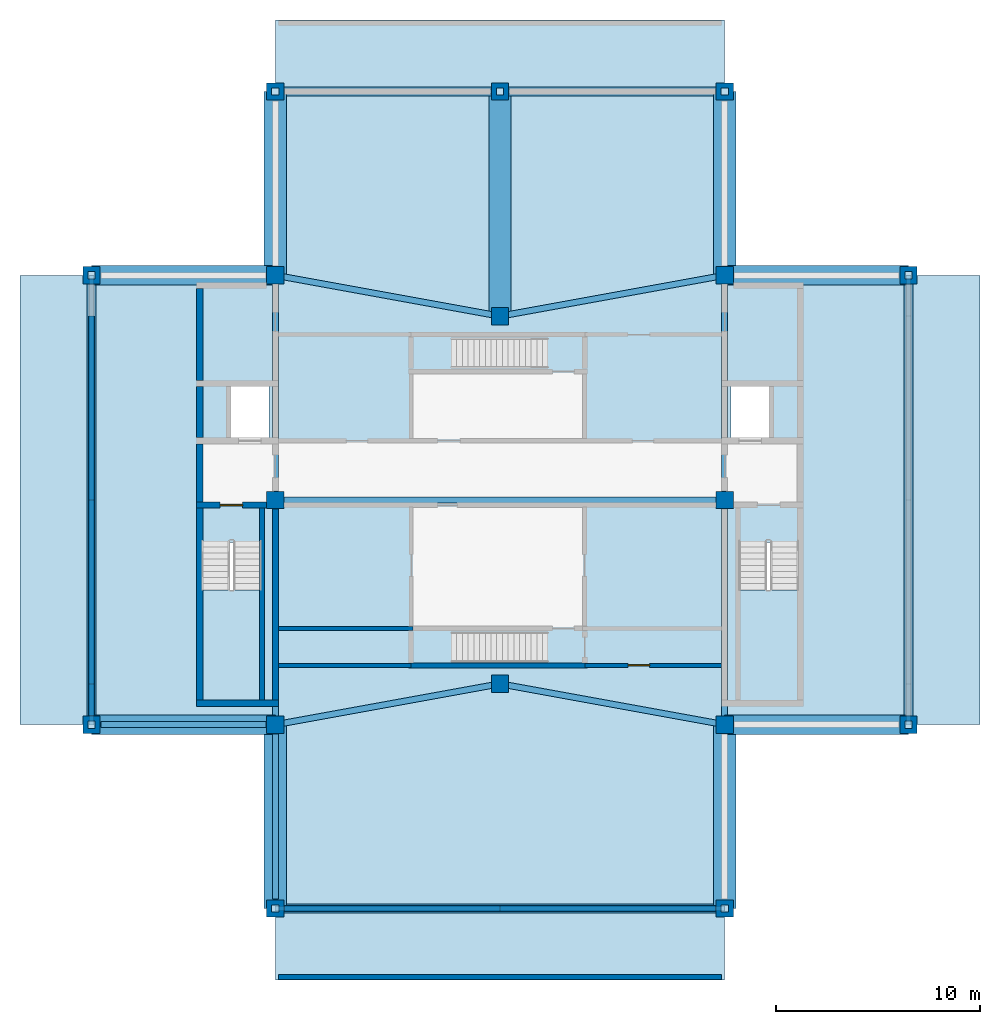
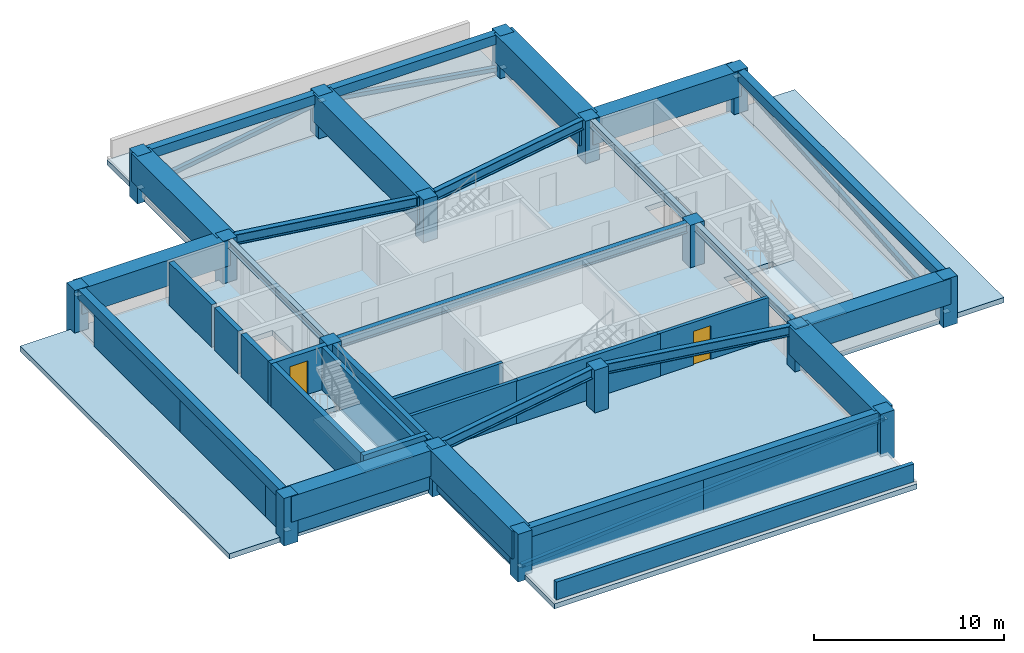
# One storey, part 1 of 4: 20 beams, 20 walls, 17 columns, 9 plates, 7 slabs, 5 members, 2 doors, 2 openings, 2 elements without a shape of their own.
"""IFC4 building model written with IfcOpenShell, lengths in metres."""

import ifcopenshell
import ifcopenshell.guid

model = None  # the IFC model being written
_history = None  # IfcOwnerHistory: only IFC2X3 demands one
_inside = {}  # id of a spatial element -> (the spatial element, [elements in it])
_under = {}  # id of a project, library or spatial element -> (it, [spatial elements below it])
_declared = {}  # id of a project -> (the project, [libraries it declares])
_typed = {}  # id of a type object -> (the type object, [elements of that type])
_made_of = {}  # id of a material, layer set ... -> (it, [elements and type objects made of it])


def new_model(schema):
    """Start an empty IFC model of exactly this schema.

    Asked for "IFC4X3", IfcOpenShell would pick the latest addendum, in which some entities
    have other attributes; the version numbers below select the first issue.
    IFC2X3 requires an IfcOwnerHistory on every rooted entity: one is made here for all.
    """
    global model, _history
    if schema == "IFC4X3":
        model = ifcopenshell.file(schema_version=(4, 3, 0, 0))
    else:
        model = ifcopenshell.file(schema=schema)
    _inside.clear()
    _under.clear()
    _declared.clear()
    _typed.clear()
    _made_of.clear()
    _history = None
    if model.schema == "IFC2X3":
        org = make("IfcOrganization", Name="unknown")
        user = make(
            "IfcPersonAndOrganization",
            ThePerson=make("IfcPerson", FamilyName="unknown"),
            TheOrganization=org,
        )
        app = make(
            "IfcApplication",
            ApplicationDeveloper=org,
            Version="unknown",
            ApplicationFullName="unknown",
            ApplicationIdentifier="unknown",
        )
        _history = make(
            "IfcOwnerHistory",
            OwningUser=user,
            OwningApplication=app,
            ChangeAction="ADDED",
            CreationDate=0,
        )
    return model


def make(cls, **values):
    """One entity of the class cls with the attributes given. An attribute that is None is left unset."""
    return model.create_entity(
        cls, **{name: value for name, value in values.items() if value is not None}
    )


def rooted(cls, **values):
    """An entity with a GlobalId (a new one), such as an element, a storey or a relation."""
    return make(cls, GlobalId=ifcopenshell.guid.new(), OwnerHistory=_history, **values)


def si_unit(unit_type, name, prefix=None):
    """IfcSIUnit, for example si_unit("LENGTHUNIT", "METRE", prefix="MILLI")."""
    return make("IfcSIUnit", UnitType=unit_type, Prefix=prefix, Name=name)


def assignment(units):
    """IfcUnitAssignment: the units of a project."""
    return None if units is None else make("IfcUnitAssignment", Units=units)


def point(xyz):
    """IfcCartesianPoint."""
    return None if xyz is None else make("IfcCartesianPoint", Coordinates=xyz)


def direction(xyz):
    """IfcDirection."""
    return None if xyz is None else make("IfcDirection", DirectionRatios=xyz)


def frame(location, z_axis=None, x_axis=None):
    """IfcAxis2Placement3D, a coordinate frame: its origin and axes. An axis left out is left unset."""
    return make(
        "IfcAxis2Placement3D",
        Location=point(location),
        Axis=direction(z_axis),
        RefDirection=direction(x_axis),
    )


def frame_2d(location, x_axis=None):
    """IfcAxis2Placement2D, a coordinate frame in the plane: its origin and x axis."""
    return make(
        "IfcAxis2Placement2D", Location=point(location), RefDirection=direction(x_axis)
    )


def origin():
    """The frame at (0, 0, 0) with its axes left unset."""
    return frame((0.0, 0.0, 0.0))


def origin_2d():
    """The frame at (0, 0) in the plane with its x axis left unset."""
    return frame_2d((0.0, 0.0))


def place(relative_to, where):
    """IfcLocalPlacement: puts the frame where relative to a parent placement (None: the world)."""
    return make(
        "IfcLocalPlacement", PlacementRelTo=relative_to, RelativePlacement=where
    )


def context(
    kind, dimensions, precision=None, world=None, true_north=None, identifier=None
):
    """IfcGeometricRepresentationContext, for example the 3D "Model" context."""
    return make(
        "IfcGeometricRepresentationContext",
        ContextIdentifier=identifier,
        ContextType=kind,
        CoordinateSpaceDimension=dimensions,
        Precision=precision,
        WorldCoordinateSystem=world,
        TrueNorth=true_north,
    )


def subcontext(parent, identifier, kind, view, scale=None):
    """IfcGeometricRepresentationSubContext, for example "Body" below "Model"."""
    return make(
        "IfcGeometricRepresentationSubContext",
        ContextIdentifier=identifier,
        ContextType=kind,
        ParentContext=parent,
        TargetScale=scale,
        TargetView=view,
    )


def project(units=None, contexts=None):
    """IfcProject with its units and contexts."""
    return rooted(
        "IfcProject",
        Name="project",
        RepresentationContexts=contexts,
        UnitsInContext=assignment(units),
    )


def spatial(cls, under=None, at=None, **own):
    """A site, building, storey or space (cls), placed at a placement, below another one or the project."""
    s = rooted(cls, ObjectPlacement=at, **own)
    if under is not None:
        _under.setdefault(under.id(), (under, []))[1].append(s)
    return s


def polyline(points):
    """IfcPolyline through the points."""
    return make("IfcPolyline", Points=[point(p) for p in points])


def profile(cls, at=None, kind="AREA", **sizes):
    """A parametric profile (cls). Its sizes go by their IFC names, for example OverallWidth=200.0."""
    return make(cls, ProfileType=kind, Position=at, **sizes)


def rectangle(**sizes):
    """IfcRectangleProfileDef."""
    return profile("IfcRectangleProfileDef", **sizes)


def hollow_rectangle(**sizes):
    """IfcRectangleHollowProfileDef."""
    return profile("IfcRectangleHollowProfileDef", **sizes)


def i_section(**sizes):
    """IfcIShapeProfileDef."""
    return profile("IfcIShapeProfileDef", **sizes)


def outline(outer, holes=None, kind="AREA"):
    """IfcArbitraryClosedProfileDef: a profile drawn as a closed curve; with holes, ...WithVoids."""
    if holes is None:
        return make("IfcArbitraryClosedProfileDef", ProfileType=kind, OuterCurve=outer)
    return make(
        "IfcArbitraryProfileDefWithVoids",
        ProfileType=kind,
        OuterCurve=outer,
        InnerCurves=holes,
    )


def extrude(swept, where, along, depth):
    """IfcExtrudedAreaSolid: the profile swept, set in the frame where, extruded along a direction by depth."""
    return make(
        "IfcExtrudedAreaSolid",
        SweptArea=swept,
        Position=where,
        ExtrudedDirection=direction(along),
        Depth=depth,
    )


def shape(context_of_items, identifier, shape_type, items):
    """IfcShapeRepresentation: the items that make up one representation, for example the "Body"."""
    return make(
        "IfcShapeRepresentation",
        ContextOfItems=context_of_items,
        RepresentationIdentifier=identifier,
        RepresentationType=shape_type,
        Items=items,
    )


def material(Name=None, Category=None):
    """IfcMaterial."""
    return make("IfcMaterial", Name=Name, Category=Category)


def layer(
    of_material, thickness, ventilated=None, Name=None, Category=None, Priority=None
):
    """IfcMaterialLayer: one layer of a wall or slab, of a material (None: an air gap)."""
    return make(
        "IfcMaterialLayer",
        Material=of_material,
        LayerThickness=thickness,
        IsVentilated=ventilated,
        Name=Name,
        Category=Category,
        Priority=Priority,
    )


def layer_set(layers, Name=None):
    """IfcMaterialLayerSet."""
    return make("IfcMaterialLayerSet", MaterialLayers=layers, LayerSetName=Name)


def material_profile(
    of_material, cross_section, Name=None, Category=None, Priority=None
):
    """IfcMaterialProfile: a cross section and its material."""
    return make(
        "IfcMaterialProfile",
        Name=Name,
        Material=of_material,
        Profile=cross_section,
        Priority=Priority,
        Category=Category,
    )


def profile_set(profiles, Name=None, composite=None):
    """IfcMaterialProfileSet."""
    return make(
        "IfcMaterialProfileSet",
        Name=Name,
        MaterialProfiles=profiles,
        CompositeProfile=composite,
    )


def made_of(thing, what):
    """Note that an element or type object is made of a material, layer set ...; save() writes the relation."""
    if what is not None:
        _made_of.setdefault(what.id(), (what, []))[1].append(thing)
    return thing


def type_object(cls, material=None, **own):
    """A type object (cls), such as IfcWallType, which elements share."""
    return made_of(rooted(cls, **own), material)


def element(
    cls,
    number,
    at=None,
    inside=None,
    cuts=None,
    type_object=None,
    material=None,
    context=None,
    identifier="Body",
    shape_type=None,
    held_by="IfcProductDefinitionShape",
    body=None,
    shapes=None,
    **own,
):
    """One element of the class cls, such as IfcWall. Its Tag is "e" and its number.

    at: its placement. inside: the storey or other place that contains it. cuts: it is an
    opening in that element (IfcRelVoidsElement). A single representation is given by context,
    identifier, shape_type and body (its items); several are given by shapes. held_by: the class
    of the entity that holds the representations. save() writes the other relations.
    """
    e = rooted(cls, Tag="e%d" % number, ObjectPlacement=at, **own)
    if body is not None:
        shapes = [shape(context, identifier, shape_type, body)]
    if shapes is not None:
        e.Representation = make(held_by, Representations=shapes)
    if inside is not None:
        _inside.setdefault(inside.id(), (inside, []))[1].append(e)
    if cuts is not None:
        rooted(
            "IfcRelVoidsElement", RelatingBuildingElement=cuts, RelatedOpeningElement=e
        )
    if type_object is not None:
        _typed.setdefault(type_object.id(), (type_object, []))[1].append(e)
    return made_of(e, material)


def fill(opening, filler):
    """IfcRelFillsElement: the door or window that sits in an opening."""
    return rooted(
        "IfcRelFillsElement",
        RelatingOpeningElement=opening,
        RelatedBuildingElement=filler,
    )


def aggregate(whole, parts):
    """IfcRelAggregates: a whole, such as a stair, and the parts it consists of."""
    return rooted("IfcRelAggregates", RelatingObject=whole, RelatedObjects=parts)


def save(model, path):
    """Write the relations noted so far, then the file.

    IfcRelAggregates (storeys below a building ...), IfcRelContainedInSpatialStructure (elements
    in a storey), IfcRelDefinesByType, IfcRelAssociatesMaterial and IfcRelDeclares: one each for
    every whole, place, type object, material and project.
    """
    for whole, parts in _under.values():
        aggregate(whole, parts)
    for where, things in _inside.values():
        rooted(
            "IfcRelContainedInSpatialStructure",
            RelatedElements=things,
            RelatingStructure=where,
        )
    for kind, things in _typed.values():
        rooted("IfcRelDefinesByType", RelatedObjects=things, RelatingType=kind)
    for what, things in _made_of.values():
        rooted("IfcRelAssociatesMaterial", RelatedObjects=things, RelatingMaterial=what)
    for by, libraries in _declared.values():
        rooted("IfcRelDeclares", RelatingContext=by, RelatedDefinitions=libraries)
    model.write(path)


model = new_model("IFC4")

# Units and contexts
model_context = context("Model", 3, precision=1e-05, world=origin(), true_north=direction((0.0, 1.0)))
body_context = subcontext(model_context, "Body", "Model", "MODEL_VIEW")
ifc_project = project(units=[si_unit("LENGTHUNIT", "METRE"), si_unit("AREAUNIT", "SQUARE_METRE"), si_unit("VOLUMEUNIT", "CUBIC_METRE"), si_unit("PLANEANGLEUNIT", "RADIAN"), si_unit("MASSUNIT", "GRAM", prefix="KILO")], contexts=[model_context])

# Site, building, storey
site_placement = place(None, origin())
site = spatial("IfcSite", under=ifc_project, at=site_placement, CompositionType="ELEMENT")
building_placement = place(site_placement, origin())
building = spatial("IfcBuilding", under=site, at=building_placement, Name="Zulmaris Gate Convention Tower", CompositionType="ELEMENT")
storey_placement = place(building_placement, frame((0.0, 0.0, 281.800048828125)))
storey = spatial("IfcBuildingStorey", under=building, at=storey_placement, Name="L75", CompositionType="ELEMENT", Elevation=281.800048828125)

# Columns
ifc_material_1 = material(Name="Concrete C60/75", Category="concrete")
ifc_material_profile_1 = material_profile(ifc_material_1, rectangle(XDim=0.85009765625, YDim=0.85009765625, at=origin_2d()), Name="RC COL 850x850")
ifc_profile_set_1 = profile_set([ifc_material_profile_1], Name="Concrete C60/75")
column_type = type_object("IfcColumnType", Name="COL-RC850", PredefinedType="COLUMN", material=ifc_profile_set_1)
for number, where, z_axis, x_axis, name in (
    (1, (-11.0, -20.0, -0.324951171875), (0.0, 0.0, 1.0), (1.0, 0.0, 0.0), "L75 Column CR--11.00_-20.00"),
    (2, (11.0, -20.0, -0.324951171875), (0.0, 0.0, 1.0), (1.0, 0.0, 0.0), "L75 Column CR-+11.00_-20.00"),
    (3, (20.0, -11.0, -0.324951171875), (0.0, 0.0, 1.0), (1.0, 0.0, 0.0), "L75 Column CR-+20.00_-11.00"),
    (4, (20.0, 11.0, -0.324951171875), (0.0, 0.0, 1.0), (1.0, 0.0, 0.0), "L75 Column CR-+20.00_+11.00"),
    (5, (11.0, 20.0, -0.324951171875), (0.0, 0.0, 1.0), (1.0, 0.0, 0.0), "L75 Column CR-+11.00_+20.00"),
    (6, (0.0, 20.0, -0.324951171875), (0.0, 0.0, 1.0), (1.0, 0.0, 0.0), "L75 Column CR-+0.00_+20.00"),
    (7, (-11.0, 20.0, -0.324951171875), (0.0, 0.0, 1.0), (1.0, 0.0, 0.0), "L75 Column CR--11.00_+20.00"),
    (8, (-20.0, 11.0, -0.324951171875), (0.0, 0.0, 1.0), (1.0, 0.0, 0.0), "L75 Column CR--20.00_+11.00"),
    (9, (-20.0, -11.0, -0.324951171875), (0.0, 0.0, 1.0), (1.0, 0.0, 0.0), "L75 Column CR--20.00_-11.00"),
    (10, (-11.0, -11.0, -0.324951171875), (0.0, 0.0, 1.0), (1.0, 0.0, 0.0), "L75 Column CR--11.00_-11.00"),
    (11, (11.0, -11.0, -0.324951171875), (0.0, 0.0, 1.0), (1.0, 0.0, 0.0), "L75 Column CR-+11.00_-11.00"),
    (12, (-11.0, 11.0, -0.324951171875), (0.0, 0.0, 1.0), (1.0, 0.0, 0.0), "L75 Column CR--11.00_+11.00"),
    (13, (11.0, 11.0, -0.324951171875), (0.0, 0.0, 1.0), (1.0, 0.0, 0.0), "L75 Column CR-+11.00_+11.00"),
    (14, (-11.0, 0.0, -0.324951171875), (0.0, 0.0, 1.0), (1.0, 0.0, 0.0), "L75 Column CR--11.00_+0.00"),
    (15, (11.0, 0.0, -0.324951171875), (0.0, 0.0, 1.0), (1.0, 0.0, 0.0), "L75 Column CR-+11.00_+0.00"),
    (16, (0.0, -9.0, -0.324951171875), (0.0, 0.0, 1.0), (1.0, 0.0, 0.0), "L75 Column CR-+0.00_-9.00"),
    (17, (0.0, 9.0, -0.324951171875), (0.0, 0.0, 1.0), (1.0, 0.0, 0.0), "L75 Column CR-+0.00_+9.00"),
):
    element("IfcColumn", number, at=place(storey_placement, frame(where, z_axis=z_axis, x_axis=x_axis)), inside=storey, type_object=column_type, Name=name, PredefinedType="COLUMN", context=body_context, shape_type="SweptSolid", body=[
        extrude(rectangle(XDim=0.85009765625, YDim=0.85009765625, at=origin_2d()), origin(), (0.0, 0.0, 1.0), 3.059814453125),
    ])

# Beams
ifc_material_2 = material(Name="Steel S355", Category="steel")
ifc_material_profile_2 = material_profile(ifc_material_2, i_section(OverallWidth=0.300048828125, OverallDepth=0.5, WebThickness=0.014404296875, FlangeThickness=0.028076171875, FilletRadius=0.027099609375, at=origin_2d()), Name="HEB 500")
ifc_profile_set_2 = profile_set([ifc_material_profile_2], Name="Steel S355")
beam_type_1 = type_object("IfcBeamType", Name="BM-HEB500", PredefinedType="BEAM", material=ifc_profile_set_2)
for number, where, z_axis, x_axis, name in (
    (18, (-11.0, -11.0, 2.48291015625), (0.0, 1.0, 0.0), (-1.0, 0.0, 0.0), "L75 Beam BM-L75-CY--11.0-M"),
    (19, (11.0, -11.0, 2.48291015625), (0.0, 1.0, 0.0), (-1.0, 0.0, 0.0), "L75 Beam BM-L75-CY-+11.0-M"),
):
    element("IfcBeam", number, at=place(storey_placement, frame(where, z_axis=z_axis, x_axis=x_axis)), inside=storey, type_object=beam_type_1, Name=name, PredefinedType="BEAM", context=body_context, shape_type="SweptSolid", body=[
        extrude(i_section(OverallWidth=0.300048828125, OverallDepth=0.5, WebThickness=0.014404296875, FlangeThickness=0.028076171875, FilletRadius=0.027099609375, at=origin_2d()), origin(), (0.0, 0.0, 1.0), 22.0),
    ])
ifc_material_profile_3 = material_profile(ifc_material_2, i_section(OverallWidth=0.300048828125, OverallDepth=0.64990234375, WebThickness=0.01611328125, FlangeThickness=0.031005859375, FilletRadius=0.027099609375, at=origin_2d()), Name="HEB 650")
ifc_profile_set_3 = profile_set([ifc_material_profile_3], Name="Steel S355")
beam_type_2 = type_object("IfcBeamType", Name="BM-HEB650", PredefinedType="BEAM", material=ifc_profile_set_3)
for number, where, z_axis, x_axis, name in (
    (20, (-11.0, -11.0, 2.407958984375), (0.9838699101, 0.1788854382, 0.0), (-0.1788854382, 0.9838699101, 0.0), "L75 Beam BM-L75-CX--9.9-M1"),
    (21, (0.0, -9.0, 2.407958984375), (0.9838699101, -0.1788854382, 0.0), (0.1788854382, 0.9838699101, 0.0), "L75 Beam BM-L75-CX--9.9-M2"),
    (22, (-11.0, 11.0, 2.407958984375), (0.9838699101, -0.1788854382, 0.0), (0.1788854382, 0.9838699101, 0.0), "L75 Beam BM-L75-CX-+10.5-M1"),
    (23, (0.0, 9.0, 2.407958984375), (0.9838699101, 0.1788854382, 0.0), (-0.1788854382, 0.9838699101, 0.0), "L75 Beam BM-L75-CX-+10.5-M2"),
):
    element("IfcBeam", number, at=place(storey_placement, frame(where, z_axis=z_axis, x_axis=x_axis)), inside=storey, type_object=beam_type_2, Name=name, PredefinedType="BEAM", context=body_context, shape_type="SweptSolid", body=[
        extrude(i_section(OverallWidth=0.300048828125, OverallDepth=0.64990234375, WebThickness=0.01611328125, FlangeThickness=0.031005859375, FilletRadius=0.027099609375, at=origin_2d()), origin(), (0.0, 0.0, 1.0), 11.180419921875),
    ])
beam_1_placement = place(storey_placement, frame((-11.0, 0.0, 2.407958984375), z_axis=(1.0, 0.0, 0.0), x_axis=(0.0, 1.0, 0.0)))
element("IfcBeam", 24, at=beam_1_placement, inside=storey, type_object=beam_type_2, Name="L75 Beam BM-L75-CX-MID", PredefinedType="BEAM", context=body_context, shape_type="SweptSolid", body=[
    extrude(i_section(OverallWidth=0.300048828125, OverallDepth=0.64990234375, WebThickness=0.01611328125, FlangeThickness=0.031005859375, FilletRadius=0.027099609375, at=origin_2d()), origin(), (0.0, 0.0, 1.0), 22.0),
])
ifc_material_3 = material(Name="Precast concrete C50/60", Category="concrete")
ifc_material_profile_4 = material_profile(ifc_material_3, rectangle(XDim=0.449951171875, YDim=0.60009765625, at=origin_2d()), Name="RC SPANDREL 450x600")
ifc_profile_set_4 = profile_set([ifc_material_profile_4], Name="Precast concrete C50/60")
beam_type_3 = type_object("IfcBeamType", Name="BM-SP450x600", PredefinedType="SPANDREL", material=ifc_profile_set_4)
for number, where, z_axis, x_axis, name in (
    (25, (-11.0, -20.0, 2.434814453125), (1.0, 0.0, 0.0), (0.0, 1.0, 0.0), "L75 Spandrel SP-L75-01"),
    (26, (20.0, -11.0, 2.434814453125), (0.0, 1.0, 0.0), (-1.0, 0.0, 0.0), "L75 Spandrel SP-L75-04"),
    (27, (11.0, 20.0, 2.434814453125), (-1.0, 0.0, 0.0), (0.0, -1.0, 0.0), "L75 Spandrel SP-L75-07"),
    (28, (-20.0, 11.0, 2.434814453125), (0.0, -1.0, 0.0), (1.0, 0.0, 0.0), "L75 Spandrel SP-L75-10"),
):
    element("IfcBeam", number, at=place(storey_placement, frame(where, z_axis=z_axis, x_axis=x_axis)), inside=storey, type_object=beam_type_3, Name=name, PredefinedType="SPANDREL", context=body_context, shape_type="SweptSolid", body=[
        extrude(rectangle(XDim=0.449951171875, YDim=0.60009765625, at=origin_2d()), origin(), (0.0, 0.0, 1.0), 22.0),
    ])
ifc_material_4 = material(Name="Concrete C80/95", Category="concrete")
ifc_material_profile_5 = material_profile(ifc_material_4, rectangle(XDim=0.949951171875, YDim=1.64990234375, at=origin_2d()), Name="RC TRANSFER 950x1650")
ifc_profile_set_5 = profile_set([ifc_material_profile_5], Name="Concrete C80/95")
beam_type_4 = type_object("IfcBeamType", Name="BM-XFER1650", PredefinedType="BEAM", material=ifc_profile_set_5)
for number, where, z_axis, x_axis, name in (
    (29, (-20.0, -11.0, 1.909912109375), (1.0, 0.0, 0.0), (0.0, 1.0, 0.0), "L75 Beam XFSPX-L75--11.0-W"),
    (30, (11.0, -11.0, 1.909912109375), (1.0, 0.0, 0.0), (0.0, 1.0, 0.0), "L75 Beam XFSPX-L75--11.0-E"),
    (31, (-20.0, 11.0, 1.909912109375), (1.0, 0.0, 0.0), (0.0, 1.0, 0.0), "L75 Beam XFSPX-L75-+11.0-W"),
    (32, (11.0, 11.0, 1.909912109375), (1.0, 0.0, 0.0), (0.0, 1.0, 0.0), "L75 Beam XFSPX-L75-+11.0-E"),
):
    element("IfcBeam", number, at=place(storey_placement, frame(where, z_axis=z_axis, x_axis=x_axis)), inside=storey, type_object=beam_type_4, Name=name, PredefinedType="BEAM", context=body_context, shape_type="SweptSolid", body=[
        extrude(rectangle(XDim=0.949951171875, YDim=1.64990234375, at=origin_2d()), origin(), (0.0, 0.0, 1.0), 9.0),
    ])
ifc_material_profile_6 = material_profile(ifc_material_4, rectangle(XDim=1.10009765625, YDim=1.800048828125, at=origin_2d()), Name="RC TRANSFER 1100x1800")
ifc_profile_set_6 = profile_set([ifc_material_profile_6], Name="Concrete C80/95")
beam_type_5 = type_object("IfcBeamType", Name="BM-XFER1800", PredefinedType="BEAM", material=ifc_profile_set_6)
for number, where, z_axis, x_axis, name in (
    (33, (-11.0, -20.0, 1.8349609375), (0.0, 1.0, 0.0), (-1.0, 0.0, 0.0), "L75 Beam XFSPY-L75--11.0--20.0"),
    (34, (-11.0, 11.0, 1.8349609375), (0.0, 1.0, 0.0), (-1.0, 0.0, 0.0), "L75 Beam XFSPY-L75--11.0-+11.0"),
):
    element("IfcBeam", number, at=place(storey_placement, frame(where, z_axis=z_axis, x_axis=x_axis)), inside=storey, type_object=beam_type_5, Name=name, PredefinedType="BEAM", context=body_context, shape_type="SweptSolid", body=[
        extrude(rectangle(XDim=1.10009765625, YDim=1.800048828125, at=origin_2d()), origin(), (0.0, 0.0, 1.0), 9.0),
    ])
beam_2_placement = place(storey_placement, frame((0.0, 9.0, 1.8349609375), z_axis=(0.0, 1.0, 0.0), x_axis=(-1.0, 0.0, 0.0)))
element("IfcBeam", 35, at=beam_2_placement, inside=storey, type_object=beam_type_5, Name="L75 Beam XFSPY-L75-+0.0-+9.0", PredefinedType="BEAM", context=body_context, shape_type="SweptSolid", body=[
    extrude(rectangle(XDim=1.10009765625, YDim=1.800048828125, at=origin_2d()), origin(), (0.0, 0.0, 1.0), 11.0),
])
for number, where, z_axis, x_axis, name in (
    (36, (11.0, -20.0, 1.8349609375), (0.0, 1.0, 0.0), (-1.0, 0.0, 0.0), "L75 Beam XFSPY-L75-+11.0--20.0"),
    (37, (11.0, 11.0, 1.8349609375), (0.0, 1.0, 0.0), (-1.0, 0.0, 0.0), "L75 Beam XFSPY-L75-+11.0-+11.0"),
):
    element("IfcBeam", number, at=place(storey_placement, frame(where, z_axis=z_axis, x_axis=x_axis)), inside=storey, type_object=beam_type_5, Name=name, PredefinedType="BEAM", context=body_context, shape_type="SweptSolid", body=[
        extrude(rectangle(XDim=1.10009765625, YDim=1.800048828125, at=origin_2d()), origin(), (0.0, 0.0, 1.0), 9.0),
    ])

# Members
ifc_material_profile_7 = material_profile(ifc_material_2, hollow_rectangle(XDim=0.25, YDim=0.25, WallThickness=0.012451171875, at=origin_2d()), Name="SHS 250x250x12.5")
ifc_profile_set_7 = profile_set([ifc_material_profile_7], Name="Steel S355")
member_type = type_object("IfcMemberType", Name="BR-SHS250", PredefinedType="BRACE", material=ifc_profile_set_7)
member_placement = place(storey_placement, frame((-11.0, -20.0, 0.349853515625), z_axis=(0.996904312824, 0.0, 0.078624366913), x_axis=(0.0, 1.0, 0.0)))
element("IfcMember", 38, at=member_placement, inside=storey, type_object=member_type, Name="L75 Crown Perimeter Brace 01", PredefinedType="BRACE", context=body_context, shape_type="SweptSolid", body=[
    extrude(hollow_rectangle(XDim=0.25, YDim=0.25, WallThickness=0.012451171875, at=origin_2d()), origin(), (0.0, 0.0, 1.0), 22.068359375),
])
for number, where, z_axis, x_axis, name in (
    (39, (-11.0, 20.0, 0.349853515625), (0.987786951023, 0.0, 0.155810588177), (0.0, 1.0, 0.0), "L75 Crown Perimeter Brace 02"),
    (40, (0.0, 20.0, 2.0849609375), (0.987786951023, 0.0, -0.155810588177), (0.0, 1.0, 0.0), "L75 Crown Perimeter Brace 03"),
):
    element("IfcMember", number, at=place(storey_placement, frame(where, z_axis=z_axis, x_axis=x_axis)), inside=storey, type_object=member_type, Name=name, PredefinedType="BRACE", context=body_context, shape_type="SweptSolid", body=[
        extrude(hollow_rectangle(XDim=0.25, YDim=0.25, WallThickness=0.012451171875, at=origin_2d()), origin(), (0.0, 0.0, 1.0), 11.135986328125),
    ])
for number, where, z_axis, x_axis, name in (
    (41, (-20.0, -11.0, 0.349853515625), (0.0, 0.996904312824, 0.078624366913), (-1.0, 0.0, 0.0), "L75 Crown Perimeter Brace 04"),
    (42, (20.0, -11.0, 0.349853515625), (0.0, 0.996904312824, 0.078624366913), (-1.0, 0.0, 0.0), "L75 Crown Perimeter Brace 05"),
):
    element("IfcMember", number, at=place(storey_placement, frame(where, z_axis=z_axis, x_axis=x_axis)), inside=storey, type_object=member_type, Name=name, PredefinedType="BRACE", context=body_context, shape_type="SweptSolid", body=[
        extrude(hollow_rectangle(XDim=0.25, YDim=0.25, WallThickness=0.012451171875, at=origin_2d()), origin(), (0.0, 0.0, 1.0), 22.068359375),
    ])

# Plates
ifc_material_5 = material(Name="Steel S460", Category="steel")
ifc_layer_1 = layer(ifc_material_5, 0.02197265625, Name="Steel S460")
ifc_layer_set_1 = layer_set([ifc_layer_1], Name="Steel S460")
plate_type = type_object("IfcPlateType", Name="NP-CAP-360", PredefinedType="USERDEFINED", material=ifc_layer_set_1)
for number, where, z_axis, x_axis, name in (
    (43, (-11.0, -20.0, 0.3388671875), (0.0, 0.0, 1.0), (1.0, 0.0, 0.0), "L75 Steel Node Plate CBR-L75-01-P0"),
    (44, (11.0, -20.0, 2.073974609375), (0.0, 0.0, 1.0), (1.0, 0.0, 0.0), "L75 Steel Node Plate CBR-L75-01-P1"),
    (45, (-11.0, 20.0, 0.3388671875), (0.0, 0.0, 1.0), (1.0, 0.0, 0.0), "L75 Steel Node Plate CBR-L75-02-P0"),
    (46, (0.0, 20.0, 2.073974609375), (0.0, 0.0, 1.0), (1.0, 0.0, 0.0), "L75 Steel Node Plate CBR-L75-02-P1"),
    (47, (11.0, 20.0, 0.3388671875), (0.0, 0.0, 1.0), (1.0, 0.0, 0.0), "L75 Steel Node Plate CBR-L75-03-P1"),
    (48, (-20.0, -11.0, 0.3388671875), (0.0, 0.0, 1.0), (1.0, 0.0, 0.0), "L75 Steel Node Plate CBR-L75-04-P0"),
    (49, (-20.0, 11.0, 2.073974609375), (0.0, 0.0, 1.0), (1.0, 0.0, 0.0), "L75 Steel Node Plate CBR-L75-04-P1"),
    (50, (20.0, -11.0, 0.3388671875), (0.0, 0.0, 1.0), (1.0, 0.0, 0.0), "L75 Steel Node Plate CBR-L75-05-P0"),
    (51, (20.0, 11.0, 2.073974609375), (0.0, 0.0, 1.0), (1.0, 0.0, 0.0), "L75 Steel Node Plate CBR-L75-05-P1"),
):
    element("IfcPlate", number, at=place(storey_placement, frame(where, z_axis=z_axis, x_axis=x_axis)), inside=storey, type_object=plate_type, Name=name, ObjectType="FLANGE PLATE", PredefinedType="USERDEFINED", context=body_context, shape_type="SweptSolid", body=[
        extrude(rectangle(XDim=0.360107421875, YDim=0.360107421875, at=origin_2d()), origin(), (0.0, 0.0, 1.0), 0.02197265625),
    ])

# Slab
ifc_material_6 = material(Name="Concrete C50/60", Category="concrete")
ifc_layer_2 = layer(ifc_material_6, 0.324951171875, Name="Concrete C50/60")
ifc_layer_set_2 = layer_set([ifc_layer_2], Name="Concrete C50/60")
slab_type_1 = type_object("IfcSlabType", Name="SL-FLR-325", PredefinedType="FLOOR", material=ifc_layer_set_2)
slab_1_placement = place(storey_placement, frame((0.0, 0.0, -0.324951171875)))
element("IfcSlab", 52, at=slab_1_placement, inside=storey, type_object=slab_type_1, Name="L75 Crown Plant Floor Slab", PredefinedType="FLOOR", context=body_context, shape_type="SweptSolid", body=[
    extrude(outline(polyline([(-11.0, -20.0), (11.0, -20.0), (11.0, -11.0), (20.0, -11.0), (20.0, 11.0), (11.0, 11.0), (11.0, 20.0), (-11.0, 20.0), (-11.0, 11.0), (-20.0, 11.0), (-20.0, -11.0), (-11.0, -11.0), (-11.0, -20.0)]), holes=[polyline([(-14.6201171875, -2.080078125), (-14.6201171875, -9.85009765625), (-11.659912109375, -9.85009765625), (-11.659912109375, -2.080078125), (-14.6201171875, -2.080078125)]), polyline([(11.659912109375, -2.080078125), (11.659912109375, -9.85009765625), (14.6201171875, -9.85009765625), (14.6201171875, -2.080078125), (11.659912109375, -2.080078125)]), polyline([(-13.199951171875, 3.0), (-11.300048828125, 3.0), (-11.300048828125, 5.60009765625), (-13.199951171875, 5.60009765625), (-13.199951171875, 3.0)]), polyline([(11.300048828125, 3.0), (13.199951171875, 3.0), (13.199951171875, 5.60009765625), (11.300048828125, 5.60009765625), (11.300048828125, 3.0)])]), origin(), (0.0, 0.0, 1.0), 0.324951171875),
])

# Stair, slab
ifc_material_7 = material(Name="Concrete C45/55", Category="concrete")
stair_type = type_object("IfcStairType", Name="ST-CORE-DOGLEG", PredefinedType="HALF_TURN_STAIR", material=ifc_material_7)
stair_1_placement = place(storey_placement, origin())
stair_1 = element("IfcStair", 53, at=stair_1_placement, inside=storey, type_object=stair_type, Name="L75 Core Exit Stair ST-1", PredefinedType="HALF_TURN_STAIR")
ifc_layer_3 = layer(ifc_material_7, 0.199951171875, Name="Concrete C45/55")
ifc_layer_set_3 = layer_set([ifc_layer_3], Name="Concrete C45/55")
slab_type_2 = type_object("IfcSlabType", Name="SL-LND-200", PredefinedType="LANDING", material=ifc_layer_set_3)
slab_2_placement = place(storey_placement, frame((0.0, 0.0, 1.329833984375)))
slab_2 = element("IfcSlab", 54, at=slab_2_placement, type_object=slab_type_2, Name="ST-1 landing 1", PredefinedType="LANDING", context=body_context, shape_type="SweptSolid", body=[
    extrude(outline(polyline([(-14.6201171875, -4.39990234375), (-14.6201171875, -9.85009765625), (-11.659912109375, -9.85009765625), (-11.659912109375, -4.39990234375), (-14.6201171875, -4.39990234375)])), origin(), (0.0, 0.0, 1.0), 0.199951171875),
])
aggregate(stair_1, [slab_2])

stair_2_placement = place(storey_placement, origin())
stair_2 = element("IfcStair", 55, at=stair_2_placement, inside=storey, type_object=stair_type, Name="L75 Core Exit Stair ST-2", PredefinedType="HALF_TURN_STAIR")
slab_3_placement = place(storey_placement, frame((0.0, 0.0, 1.329833984375)))
slab_3 = element("IfcSlab", 56, at=slab_3_placement, type_object=slab_type_2, Name="ST-2 landing 1", PredefinedType="LANDING", context=body_context, shape_type="SweptSolid", body=[
    extrude(outline(polyline([(11.659912109375, -4.39990234375), (11.659912109375, -9.85009765625), (14.6201171875, -9.85009765625), (14.6201171875, -4.39990234375), (11.659912109375, -4.39990234375)])), origin(), (0.0, 0.0, 1.0), 0.199951171875),
])
aggregate(stair_2, [slab_3])

# Slabs
ifc_layer_4 = layer(ifc_material_6, 0.324951171875, Name="Concrete C50/60")
ifc_layer_set_4 = layer_set([ifc_layer_4], Name="Concrete C50/60")
slab_type_3 = type_object("IfcSlabType", Name="SL-ROOF-325", PredefinedType="ROOF", material=ifc_layer_set_4)
slab_4_placement = place(storey_placement, frame((0.0, 0.0, -0.324951171875)))
element("IfcSlab", 57, at=slab_4_placement, inside=storey, type_object=slab_type_3, Name="L75 Stepped Crown Setback Roof Cap N", PredefinedType="ROOF", context=body_context, shape_type="SweptSolid", body=[
    extrude(outline(polyline([(-11.0, 20.0), (11.0, 20.0), (11.0, 23.5), (-11.0, 23.5), (-11.0, 20.0)])), origin(), (0.0, 0.0, 1.0), 0.324951171875),
])
slab_5_placement = place(storey_placement, frame((0.0, 0.0, -0.324951171875)))
element("IfcSlab", 58, at=slab_5_placement, inside=storey, type_object=slab_type_3, Name="L75 Stepped Crown Setback Roof Cap S", PredefinedType="ROOF", context=body_context, shape_type="SweptSolid", body=[
    extrude(outline(polyline([(-11.0, -23.5), (11.0, -23.5), (11.0, -20.0), (-11.0, -20.0), (-11.0, -23.5)])), origin(), (0.0, 0.0, 1.0), 0.324951171875),
])
slab_6_placement = place(storey_placement, frame((0.0, 0.0, -0.324951171875)))
element("IfcSlab", 59, at=slab_6_placement, inside=storey, type_object=slab_type_3, Name="L75 Stepped Crown Setback Roof Cap W", PredefinedType="ROOF", context=body_context, shape_type="SweptSolid", body=[
    extrude(outline(polyline([(-23.5, -11.0), (-20.0, -11.0), (-20.0, 11.0), (-23.5, 11.0), (-23.5, -11.0)])), origin(), (0.0, 0.0, 1.0), 0.324951171875),
])
slab_7_placement = place(storey_placement, frame((0.0, 0.0, -0.324951171875)))
element("IfcSlab", 60, at=slab_7_placement, inside=storey, type_object=slab_type_3, Name="L75 Stepped Crown Setback Roof Cap E", PredefinedType="ROOF", context=body_context, shape_type="SweptSolid", body=[
    extrude(outline(polyline([(20.0, -11.0), (23.5, -11.0), (23.5, 11.0), (20.0, 11.0), (20.0, -11.0)])), origin(), (0.0, 0.0, 1.0), 0.324951171875),
])

# Walls
ifc_layer_5 = layer(ifc_material_6, 0.25, Name="Concrete C50/60")
ifc_layer_set_5 = layer_set([ifc_layer_5], Name="Concrete C50/60")
wall_type_1 = type_object("IfcWallType", Name="CORE-250", PredefinedType="SOLIDWALL", material=ifc_layer_set_5)
wall_1_placement = place(storey_placement, frame((-4.47509765625, -8.10009765625, 0.0), z_axis=(0.0, 0.0, 1.0), x_axis=(1.0, 0.0, 0.0)))
element("IfcWall", 61, at=wall_1_placement, inside=storey, type_object=wall_type_1, Name="WL-L75-003", PredefinedType="SOLIDWALL", context=body_context, shape_type="SweptSolid", body=[
    extrude(rectangle(XDim=8.75, YDim=0.25, at=frame_2d((4.375, 0.0))), origin(), (0.0, 0.0, 1.0), 2.73486328125),
])
wall_2_placement = place(storey_placement, frame((-11.64990234375, -9.798095703125, 0.0), z_axis=(0.0, 0.0, 1.0), x_axis=(0.0, 1.0, 0.0)))
element("IfcWall", 62, at=wall_2_placement, inside=storey, type_object=wall_type_1, Name="WL-L75-028", PredefinedType="SOLIDWALL", context=body_context, shape_type="SweptSolid", body=[
    extrude(rectangle(XDim=9.39599609375, YDim=0.25, at=frame_2d((4.697998046875, 0.0))), origin(), (0.0, 0.0, 1.0), 2.73486328125),
])
ifc_layer_6 = layer(ifc_material_6, 0.300048828125, Name="Concrete C50/60")
ifc_layer_set_6 = layer_set([ifc_layer_6], Name="Concrete C50/60")
wall_type_2 = type_object("IfcWallType", Name="CORE-300", PredefinedType="SHEAR", material=ifc_layer_set_6)
wall_3_placement = place(storey_placement, frame((-14.85009765625, -9.949951171875, 0.0), z_axis=(0.0, 0.0, 1.0), x_axis=(1.0, 0.0, 0.0)))
element("IfcWall", 63, at=wall_3_placement, inside=storey, type_object=wall_type_2, Name="WL-L75-001", PredefinedType="SHEAR", context=body_context, shape_type="SweptSolid", body=[
    extrude(rectangle(XDim=4.0, YDim=0.300048828125, at=frame_2d((2.0, 0.0))), origin(), (0.0, 0.0, 1.0), 2.73486328125),
])

# Wall, opening, door
wall_4_placement = place(storey_placement, frame((-14.85009765625, -0.25, 0.0), z_axis=(0.0, 0.0, 1.0), x_axis=(1.0, 0.0, 0.0)))
wall_4 = element("IfcWall", 64, at=wall_4_placement, inside=storey, type_object=wall_type_2, Name="WL-L75-005", PredefinedType="SHEAR", context=body_context, shape_type="SweptSolid", body=[
    extrude(rectangle(XDim=3.421142578125, YDim=0.300048828125, at=frame_2d((1.71044921875, 0.0))), origin(), (0.0, 0.0, 1.0), 2.73486328125),
])
opening_1_placement = place(wall_4_placement, frame((1.14990234375, 0.0, 0.0)))
opening_1 = element("IfcOpeningElement", 65, at=opening_1_placement, cuts=wall_4, Name="Opening D-08", PredefinedType="OPENING", context=body_context, shape_type="SweptSolid", body=[
    extrude(rectangle(XDim=1.10009765625, YDim=2.14990234375, at=frame_2d((0.550048828125, 1.074951171875))), frame((0.0, 0.16015625, 0.0), z_axis=(0.0, -1.0, 0.0), x_axis=(1.0, 0.0, 0.0)), (0.0, 0.0, 1.0), 0.320068359375),
])
ifc_material_8 = material(Name="Fire-Rated Steel", Category="steel")
door_type_1 = type_object("IfcDoorType", Name="DR-1100-FD", OperationType="NOTDEFINED", PredefinedType="DOOR", material=ifc_material_8)
door_1_placement = place(opening_1_placement, origin())
door_1 = element("IfcDoor", 66, at=door_1_placement, inside=storey, type_object=door_type_1, Name="L75 Exit Stair ST-1 Door 01", OperationType="SINGLE_SWING_LEFT", OverallHeight=2.14990234375, OverallWidth=1.10009765625, PredefinedType="DOOR", context=body_context, shape_type="SweptSolid", body=[
    extrude(rectangle(XDim=1.10009765625, YDim=2.14990234375, at=frame_2d((0.550048828125, 1.074951171875))), frame((0.0, 0.02490234375, 0.0), z_axis=(0.0, -1.0, 0.0), x_axis=(1.0, 0.0, 0.0)), (0.0, 0.0, 1.0), 0.050048828125),
])
fill(opening_1, door_1)

# Walls
wall_5_placement = place(storey_placement, frame((-14.699951171875, -9.798095703125, 0.0), z_axis=(0.0, 0.0, 1.0), x_axis=(0.0, 1.0, 0.0)))
element("IfcWall", 67, at=wall_5_placement, inside=storey, type_object=wall_type_2, Name="WL-L75-023", PredefinedType="SHEAR", context=body_context, shape_type="SweptSolid", body=[
    extrude(rectangle(XDim=9.39599609375, YDim=0.300048828125, at=frame_2d((4.697998046875, 0.0))), origin(), (0.0, 0.0, 1.0), 2.73486328125),
])
wall_6_placement = place(storey_placement, frame((-14.699951171875, -0.097900390625, 0.0), z_axis=(0.0, 0.0, 1.0), x_axis=(0.0, 1.0, 0.0)))
element("IfcWall", 68, at=wall_6_placement, inside=storey, type_object=wall_type_2, Name="WL-L75-024", PredefinedType="SHEAR", context=body_context, shape_type="SweptSolid", body=[
    extrude(rectangle(XDim=2.845947265625, YDim=0.300048828125, at=frame_2d((1.4228515625, 0.0))), origin(), (0.0, 0.0, 1.0), 2.73486328125),
])
wall_7_placement = place(storey_placement, frame((-14.699951171875, 3.052001953125, 0.0), z_axis=(0.0, 0.0, 1.0), x_axis=(0.0, 1.0, 0.0)))
element("IfcWall", 69, at=wall_7_placement, inside=storey, type_object=wall_type_2, Name="WL-L75-025", PredefinedType="SHEAR", context=body_context, shape_type="SweptSolid", body=[
    extrude(rectangle(XDim=2.49609375, YDim=0.300048828125, at=frame_2d((1.248046875, 0.0))), origin(), (0.0, 0.0, 1.0), 2.73486328125),
])
wall_8_placement = place(storey_placement, frame((-14.699951171875, 5.85205078125, 0.0), z_axis=(0.0, 0.0, 1.0), x_axis=(0.0, 1.0, 0.0)))
element("IfcWall", 70, at=wall_8_placement, inside=storey, type_object=wall_type_2, Name="WL-L75-026", PredefinedType="SHEAR", context=body_context, shape_type="SweptSolid", body=[
    extrude(rectangle(XDim=4.495849609375, YDim=0.300048828125, at=frame_2d((2.248046875, 0.0))), origin(), (0.0, 0.0, 1.0), 2.73486328125),
])
wall_9_placement = place(storey_placement, frame((-11.0, -9.798095703125, 0.0), z_axis=(0.0, 0.0, 1.0), x_axis=(0.0, 1.0, 0.0)))
element("IfcWall", 71, at=wall_9_placement, inside=storey, type_object=wall_type_2, Name="WL-L75-029", PredefinedType="SHEAR", context=body_context, shape_type="SweptSolid", body=[
    extrude(rectangle(XDim=9.369140625, YDim=0.300048828125, at=frame_2d((4.6845703125, 0.0))), origin(), (0.0, 0.0, 1.0), 2.73486328125),
])
ifc_material_9 = material(Name="Autoclaved Aerated Concrete Block and Plasterboard", Category="concrete")
ifc_layer_7 = layer(ifc_material_9, 0.199951171875, Name="Autoclaved Aerated Concrete Block and Plasterboard")
ifc_layer_set_7 = layer_set([ifc_layer_7], Name="Autoclaved Aerated Concrete Block and Plasterboard")
wall_type_3 = type_object("IfcWallType", Name="PART-200", PredefinedType="PARTITIONING", material=ifc_layer_set_7)
wall_10_placement = place(storey_placement, frame((-10.846923828125, -8.10009765625, 0.0), z_axis=(0.0, 0.0, 1.0), x_axis=(1.0, 0.0, 0.0)))
element("IfcWall", 72, at=wall_10_placement, inside=storey, type_object=wall_type_3, Name="WL-L75-015", PredefinedType="PARTITIONING", context=body_context, shape_type="SweptSolid", body=[
    extrude(rectangle(XDim=6.496826171875, YDim=0.199951171875, at=frame_2d((3.24853515625, 0.0))), origin(), (0.0, 0.0, 1.0), 2.73486328125),
])

# Wall, opening, door
wall_11_placement = place(storey_placement, frame((4.14990234375, -8.10009765625, 0.0), z_axis=(0.0, 0.0, 1.0), x_axis=(1.0, 0.0, 0.0)))
wall_11 = element("IfcWall", 73, at=wall_11_placement, inside=storey, type_object=wall_type_3, Name="WL-L75-016", PredefinedType="PARTITIONING", context=body_context, shape_type="SweptSolid", body=[
    extrude(rectangle(XDim=6.697021484375, YDim=0.199951171875, at=frame_2d((3.3486328125, 0.0))), origin(), (0.0, 0.0, 1.0), 2.73486328125),
])
opening_2_placement = place(wall_11_placement, frame((2.125, 0.0, 0.0)))
opening_2 = element("IfcOpeningElement", 74, at=opening_2_placement, cuts=wall_11, Name="Opening D-09", PredefinedType="OPENING", context=body_context, shape_type="SweptSolid", body=[
    extrude(rectangle(XDim=1.050048828125, YDim=2.14990234375, at=frame_2d((0.52490234375, 1.074951171875))), frame((0.0, 0.10986328125, 0.0), z_axis=(0.0, -1.0, 0.0), x_axis=(1.0, 0.0, 0.0)), (0.0, 0.0, 1.0), 0.219970703125),
])
door_type_2 = type_object("IfcDoorType", Name="DR-1050-FD", OperationType="NOTDEFINED", PredefinedType="DOOR", material=ifc_material_8)
door_2_placement = place(opening_2_placement, origin())
door_2 = element("IfcDoor", 75, at=door_2_placement, inside=storey, type_object=door_type_2, Name="L75 Cooling Plant Door 19", OperationType="SINGLE_SWING_LEFT", OverallHeight=2.14990234375, OverallWidth=1.050048828125, PredefinedType="DOOR", context=body_context, shape_type="SweptSolid", body=[
    extrude(rectangle(XDim=1.050048828125, YDim=2.14990234375, at=frame_2d((0.52490234375, 1.074951171875))), frame((0.0, 0.02490234375, 0.0), z_axis=(0.0, -1.0, 0.0), x_axis=(1.0, 0.0, 0.0)), (0.0, 0.0, 1.0), 0.050048828125),
])
fill(opening_2, door_2)

# Walls
wall_12_placement = place(storey_placement, frame((-10.846923828125, -6.300048828125, 0.0), z_axis=(0.0, 0.0, 1.0), x_axis=(1.0, 0.0, 0.0)))
element("IfcWall", 76, at=wall_12_placement, inside=storey, type_object=wall_type_3, Name="WL-L75-017", PredefinedType="PARTITIONING", context=body_context, shape_type="SweptSolid", body=[
    extrude(rectangle(XDim=6.596923828125, YDim=0.199951171875, at=frame_2d((3.29833984375, 0.0))), origin(), (0.0, 0.0, 1.0), 2.73486328125),
])
ifc_material_10 = material(Name="Precast concrete C40/50", Category="concrete")
ifc_layer_8 = layer(ifc_material_10, 0.300048828125, Name="Precast concrete C40/50")
ifc_layer_set_8 = layer_set([ifc_layer_8], Name="Precast concrete C40/50")
wall_type_4 = type_object("IfcWallType", Name="PRECAST-CROWN-300", PredefinedType="STANDARD", material=ifc_layer_set_8)
for number, where, z_axis, x_axis, name in (
    (77, (-10.544921875, -20.0, 0.0), (0.0, 0.0, 1.0), (1.0, 0.0, 0.0), "EW-L75-CR-S0_0"),
    (78, (0.0, -20.0, 0.0), (0.0, 0.0, 1.0), (1.0, 0.0, 0.0), "EW-L75-CR-S1_0"),
):
    element("IfcWall", number, at=place(storey_placement, frame(where, z_axis=z_axis, x_axis=x_axis)), inside=storey, type_object=wall_type_4, Name=name, PredefinedType="STANDARD", context=body_context, shape_type="SweptSolid", body=[
        extrude(rectangle(XDim=10.544921875, YDim=0.300048828125, at=frame_2d((5.2724609375, 0.0))), origin(), (0.0, 0.0, 1.0), 2.126953125),
    ])
wall_13_placement = place(storey_placement, frame((-20.0, -9.0, 0.0), z_axis=(0.0, 0.0, 1.0), x_axis=(0.0, -1.0, 0.0)))
element("IfcWall", 79, at=wall_13_placement, inside=storey, type_object=wall_type_4, Name="EW-L75-CR-W0_0", PredefinedType="STANDARD", context=body_context, shape_type="SweptSolid", body=[
    extrude(rectangle(XDim=1.544921875, YDim=0.300048828125, at=frame_2d((0.7724609375, 0.0))), origin(), (0.0, 0.0, 1.0), 2.126953125),
])
for number, where, z_axis, x_axis, name in (
    (80, (-20.0, 0.0, 0.0), (0.0, 0.0, 1.0), (0.0, -1.0, 0.0), "EW-L75-CR-W1_0"),
    (81, (-20.0, 9.0, 0.0), (0.0, 0.0, 1.0), (0.0, -1.0, 0.0), "EW-L75-CR-W2_0"),
):
    element("IfcWall", number, at=place(storey_placement, frame(where, z_axis=z_axis, x_axis=x_axis)), inside=storey, type_object=wall_type_4, Name=name, PredefinedType="STANDARD", context=body_context, shape_type="SweptSolid", body=[
        extrude(rectangle(XDim=9.0, YDim=0.300048828125, at=frame_2d((4.5, 0.0))), origin(), (0.0, 0.0, 1.0), 2.126953125),
    ])
wall_14_placement = place(storey_placement, frame((-19.544921875, -11.0, 0.0), z_axis=(0.0, 0.0, 1.0), x_axis=(1.0, 0.0, 0.0)))
element("IfcWall", 82, at=wall_14_placement, inside=storey, type_object=wall_type_4, Name="EW-L75-CR-SW1_0", PredefinedType="STANDARD", context=body_context, shape_type="SweptSolid", body=[
    extrude(rectangle(XDim=8.08984375, YDim=0.300048828125, at=frame_2d((4.044921875, 0.0))), origin(), (0.0, 0.0, 1.0), 1.076904296875),
])
wall_15_placement = place(storey_placement, frame((-11.0, -11.455078125, 0.0), z_axis=(0.0, 0.0, 1.0), x_axis=(0.0, -1.0, 0.0)))
element("IfcWall", 83, at=wall_15_placement, inside=storey, type_object=wall_type_4, Name="EW-L75-CR-SW2_0", PredefinedType="STANDARD", context=body_context, shape_type="SweptSolid", body=[
    extrude(rectangle(XDim=8.08984375, YDim=0.300048828125, at=frame_2d((4.044921875, 0.0))), origin(), (0.0, 0.0, 1.0), 0.9267578125),
])
ifc_layer_9 = layer(ifc_material_10, 0.25, Name="Precast concrete C40/50")
ifc_layer_set_9 = layer_set([ifc_layer_9], Name="Precast concrete C40/50")
wall_type_5 = type_object("IfcWallType", Name="PRECAST-PARAPET-250", PredefinedType="PARAPET", material=ifc_layer_set_9)
wall_16_placement = place(storey_placement, frame((-10.85009765625, -23.35009765625, 0.179931640625), z_axis=(0.0, 0.0, 1.0), x_axis=(1.0, 0.0, 0.0)))
element("IfcWall", 84, at=wall_16_placement, inside=storey, type_object=wall_type_5, Name="PRP-L75-CROWN-S", PredefinedType="PARAPET", context=body_context, shape_type="SweptSolid", body=[
    extrude(rectangle(XDim=21.7001953125, YDim=0.25, at=frame_2d((10.85009765625, 0.0))), origin(), (0.0, 0.0, 1.0), 1.14013671875),
])

save(model, "model.ifc")
